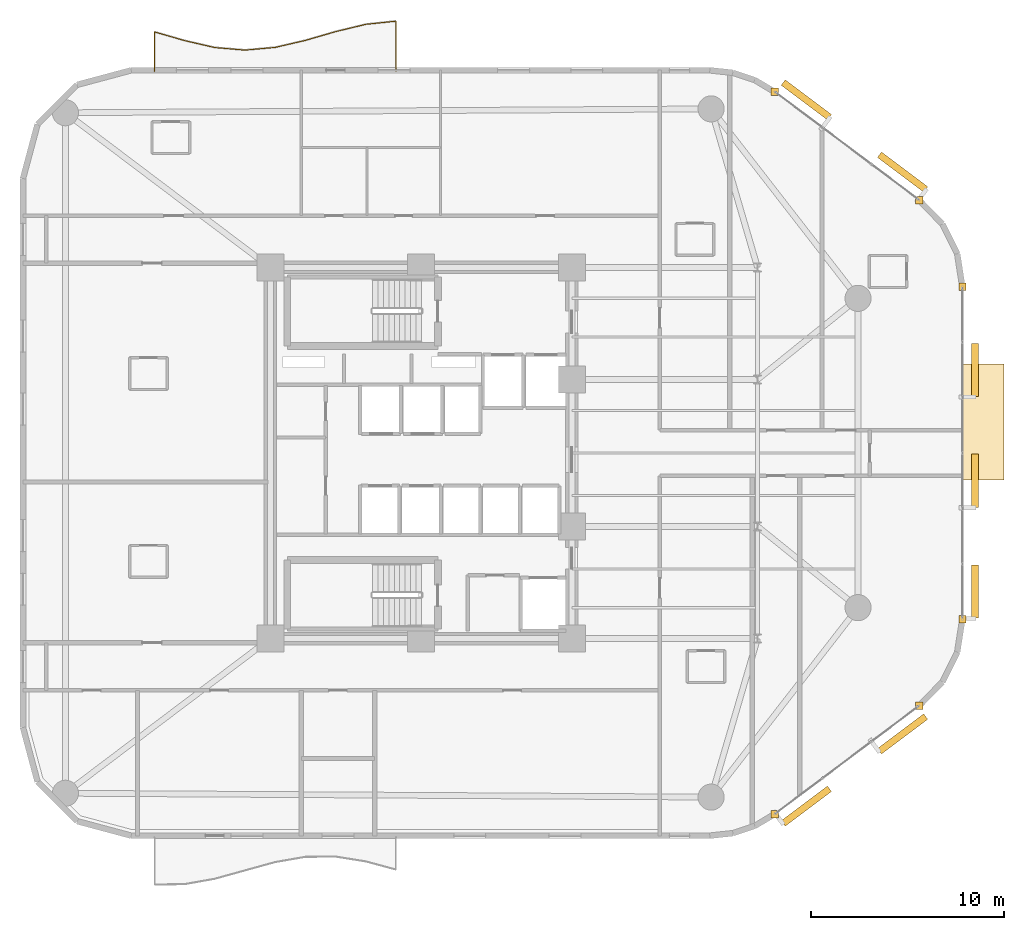
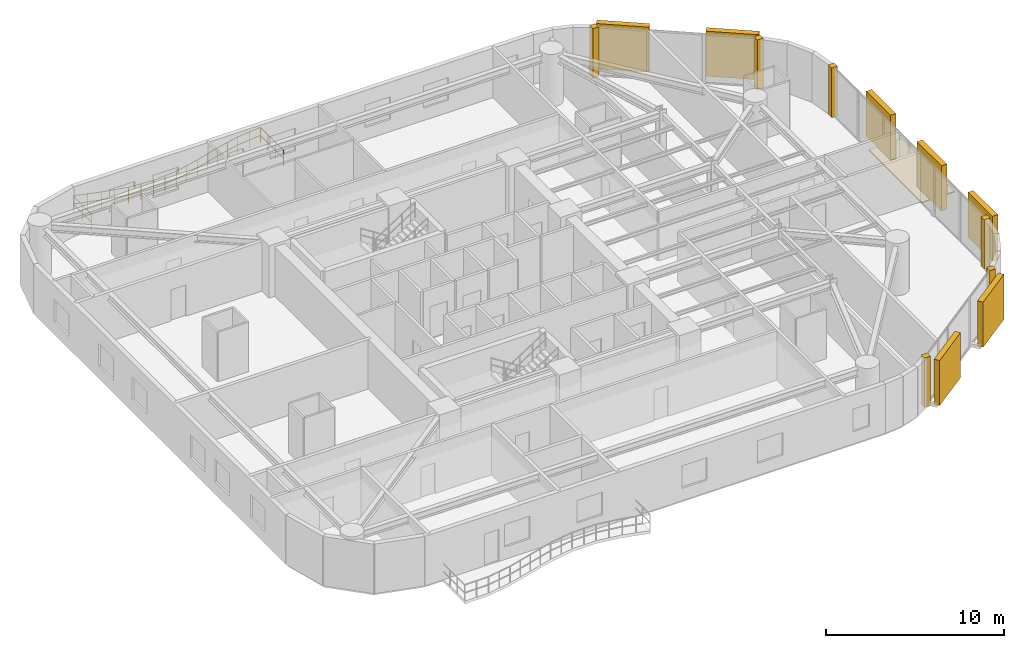
# One storey, part 16 of 16: 7 coverings, 7 shading devices, 1 railing.
"""IFC4 building model written with IfcOpenShell, lengths in metres."""

from ifc_helpers import new_model, si_unit, direction, frame, origin, origin_2d, place, context, subcontext, project, spatial, polyline, rectangle, circle, outline, extrude, material, layer, layer_set, type_object, element, save


model = new_model("IFC4")

# Units and contexts
model_context = context("Model", 3, precision=1e-05, world=origin(), true_north=direction((0.0, 1.0)))
body_context = subcontext(model_context, "Body", "Model", "MODEL_VIEW")
ifc_project = project(units=[si_unit("LENGTHUNIT", "METRE"), si_unit("AREAUNIT", "SQUARE_METRE"), si_unit("VOLUMEUNIT", "CUBIC_METRE"), si_unit("PLANEANGLEUNIT", "RADIAN"), si_unit("MASSUNIT", "GRAM", prefix="KILO")], contexts=[model_context])

# Site, building, storey
site_placement = place(None, origin())
site = spatial("IfcSite", under=ifc_project, at=site_placement, CompositionType="ELEMENT")
building_placement = place(site_placement, origin())
building = spatial("IfcBuilding", under=site, at=building_placement, Name="An Khanh Terracotta Commons", CompositionType="ELEMENT")
storey_placement = place(building_placement, frame((0.0, 0.0, 97.10009765625)))
storey = spatial("IfcBuildingStorey", under=building, at=storey_placement, Name="L25", CompositionType="ELEMENT", Elevation=97.10009765625)

# Coverings
ifc_material_1 = material(Name="Fired Terracotta Rainscreen Cladding", Category="masonry")
ifc_layer_1 = layer(ifc_material_1, 0.080078125, Name="Fired Terracotta Rainscreen Cladding")
ifc_layer_set_1 = layer_set([ifc_layer_1], Name="Fired Terracotta Rainscreen Cladding")
covering_type_1 = type_object("IfcCoveringType", Name="COV-JAMB-TERRA", PredefinedType="CLADDING", material=ifc_layer_set_1)
for number, where, z_axis, x_axis, name in (
    (1, (47.693115234375, 5.320068359375, 0.0), (0.0, 0.0, 1.0), (1.0, 0.0, 0.0), "L25 CW-02 Curtain-Wall Jamb Closure JA"),
    (2, (55.159912109375, 10.919921875, 0.0), (0.0, 0.0, 1.0), (1.0, 0.0, 0.0), "L25 CW-02 Curtain-Wall Jamb Closure JB"),
    (3, (57.39990234375, 15.39990234375, 0.0), (0.0, 0.0, 1.0), (1.0, 0.0, 0.0), "L25 CW-02 Curtain-Wall Jamb Closure JA"),
    (4, (57.39990234375, 32.60009765625, 0.0), (0.0, 0.0, 1.0), (1.0, 0.0, 0.0), "L25 CW-02 Curtain-Wall Jamb Closure JB"),
    (5, (55.159912109375, 37.080078125, 0.0), (0.0, 0.0, 1.0), (1.0, 0.0, 0.0), "L25 CW-02 Curtain-Wall Jamb Closure JA"),
    (6, (47.693115234375, 42.679931640625, 0.0), (0.0, 0.0, 1.0), (1.0, 0.0, 0.0), "L25 CW-02 Curtain-Wall Jamb Closure JB"),
):
    element("IfcCovering", number, at=place(storey_placement, frame(where, z_axis=z_axis, x_axis=x_axis)), inside=storey, type_object=covering_type_1, Name=name, PredefinedType="CLADDING", context=body_context, shape_type="SweptSolid", body=[
        extrude(rectangle(XDim=0.3798828125, YDim=0.3798828125, at=origin_2d()), origin(), (0.0, 0.0, 1.0), 3.39990234375),
    ])
ifc_material_2 = material(Name="Planted Garden Waterproofing Membrane")
ifc_layer_2 = layer(ifc_material_2, 0.080078125, Name="Planted Garden Waterproofing Membrane")
ifc_layer_set_2 = layer_set([ifc_layer_2], Name="Planted Garden Waterproofing Membrane")
covering_type_2 = type_object("IfcCoveringType", Name="COV-ROOFING-GREEN", PredefinedType="ROOFING", material=ifc_layer_set_2)
covering_placement = place(storey_placement, origin())
element("IfcCovering", 7, at=covering_placement, inside=storey, type_object=covering_type_2, Name="L25 Shifted Box Roof Waterproofing (L24)", PredefinedType="ROOFING", context=body_context, shape_type="SweptSolid", body=[
    extrude(outline(polyline([(57.39990234375, 22.60009765625), (59.550048828125, 22.60009765625), (59.550048828125, 28.60009765625), (57.39990234375, 28.60009765625), (57.39990234375, 22.60009765625)])), origin(), (0.0, 0.0, 1.0), 0.059814453125),
])

# Railing
ifc_material_3 = material(Name="Brushed Stainless Steel 316", Category="steel")
railing_type = type_object("IfcRailingType", Name="RAIL-BALUSTRADE-1100", PredefinedType="BALUSTRADE", material=ifc_material_3)
railing_placement = place(storey_placement, frame((28.10009765625, 43.739990234375, 0.0)))
element("IfcRailing", 8, at=railing_placement, inside=storey, type_object=railing_type, Name="L25 N Wave Balcony Guard Balustrade", PredefinedType="BALUSTRADE", context=body_context, shape_type="SweptSolid", body=[
    extrude(circle(Radius=0.02392578125, at=origin_2d()), frame((0.0, 0.0, 1.076171875), z_axis=(0.0, 1.0, 0.0), x_axis=(-1.0, 0.0, 0.0)), (0.0, 0.0, 1.0), 2.597900390625),
    extrude(circle(Radius=0.02392578125, at=origin_2d()), frame((0.0, 0.0, 0.52587890625), z_axis=(0.0, 1.0, 0.0), x_axis=(-1.0, 0.0, 0.0)), (0.0, 0.0, 1.0), 2.597900390625),
    extrude(circle(Radius=0.02392578125, at=origin_2d()), frame((0.0, 2.597900390625, 1.076171875), z_axis=(-0.994545412949, -0.104304465784, 0.0), x_axis=(0.104304465784, -0.994545412949, 0.0)), (0.0, 0.0, 1.0), 1.570556640625),
    extrude(circle(Radius=0.02392578125, at=origin_2d()), frame((0.0, 2.597900390625, 0.52587890625), z_axis=(-0.994545412949, -0.104304465784, 0.0), x_axis=(0.104304465784, -0.994545412949, 0.0)), (0.0, 0.0, 1.0), 1.570556640625),
    extrude(circle(Radius=0.02392578125, at=origin_2d()), frame((-1.56201171875, 2.43408203125, 1.076171875), z_axis=(-0.971954296491, -0.235169822753, 0.0), x_axis=(0.235169822753, -0.971954296491, 0.0)), (0.0, 0.0, 1.0), 1.608154296875),
    extrude(circle(Radius=0.02392578125, at=origin_2d()), frame((-1.56201171875, 2.43408203125, 0.52587890625), z_axis=(-0.971954296491, -0.235169822753, 0.0), x_axis=(0.235169822753, -0.971954296491, 0.0)), (0.0, 0.0, 1.0), 1.608154296875),
    extrude(circle(Radius=0.02392578125, at=origin_2d()), frame((-3.125, 2.055908203125, 1.076171875), z_axis=(-0.960446002807, -0.278466291842, 0.0), x_axis=(0.278466291842, -0.960446002807, 0.0)), (0.0, 0.0, 1.0), 1.626220703125),
    extrude(circle(Radius=0.02392578125, at=origin_2d()), frame((-3.125, 2.055908203125, 0.52587890625), z_axis=(-0.960446002807, -0.278466291842, 0.0), x_axis=(0.278466291842, -0.960446002807, 0.0)), (0.0, 0.0, 1.0), 1.626220703125),
    extrude(circle(Radius=0.02392578125, at=origin_2d()), frame((-4.68701171875, 1.60302734375, 1.076171875), z_axis=(-0.97406966316, -0.226248295708, 0.0), x_axis=(0.226248295708, -0.97406966316, 0.0)), (0.0, 0.0, 1.0), 1.6044921875),
    extrude(circle(Radius=0.02392578125, at=origin_2d()), frame((-4.68701171875, 1.60302734375, 0.52587890625), z_axis=(-0.97406966316, -0.226248295708, 0.0), x_axis=(0.226248295708, -0.97406966316, 0.0)), (0.0, 0.0, 1.0), 1.6044921875),
    extrude(circle(Radius=0.02392578125, at=origin_2d()), frame((-6.25, 1.239990234375, 1.076171875), z_axis=(-0.996013536684, -0.089202212648, 0.0), x_axis=(0.089202212648, -0.996013536684, 0.0)), (0.0, 0.0, 1.0), 1.568359375),
    extrude(circle(Radius=0.02392578125, at=origin_2d()), frame((-6.25, 1.239990234375, 0.52587890625), z_axis=(-0.996013536684, -0.089202212648, 0.0), x_axis=(0.089202212648, -0.996013536684, 0.0)), (0.0, 0.0, 1.0), 1.568359375),
    extrude(circle(Radius=0.02392578125, at=origin_2d()), frame((-7.81201171875, 1.10009765625, 1.076171875), z_axis=(-0.996409190639, 0.084668322354, 0.0), x_axis=(-0.084668322354, -0.996409190639, 0.0)), (0.0, 0.0, 1.0), 1.568603515625),
    extrude(circle(Radius=0.02392578125, at=origin_2d()), frame((-7.81201171875, 1.10009765625, 0.52587890625), z_axis=(-0.996409190639, 0.084668322354, 0.0), x_axis=(-0.084668322354, -0.996409190639, 0.0)), (0.0, 0.0, 1.0), 1.568603515625),
    extrude(circle(Radius=0.02392578125, at=origin_2d()), frame((-9.375, 1.23291015625, 1.076171875), z_axis=(-0.974573151688, 0.224069569574, 0.0), x_axis=(-0.224069569574, -0.974573151688, 0.0)), (0.0, 0.0, 1.0), 1.602783203125),
    extrude(circle(Radius=0.02392578125, at=origin_2d()), frame((-9.375, 1.23291015625, 0.52587890625), z_axis=(-0.974573151688, 0.224069569574, 0.0), x_axis=(-0.224069569574, -0.974573151688, 0.0)), (0.0, 0.0, 1.0), 1.602783203125),
    extrude(circle(Radius=0.02392578125, at=origin_2d()), frame((-10.93701171875, 1.592041015625, 1.076171875), z_axis=(-0.960652810495, 0.277752007533, 0.0), x_axis=(-0.277752007533, -0.960652810495, 0.0)), (0.0, 0.0, 1.0), 1.626953125),
    extrude(circle(Radius=0.02392578125, at=origin_2d()), frame((-10.93701171875, 1.592041015625, 0.52587890625), z_axis=(-0.960652810495, 0.277752007533, 0.0), x_axis=(-0.277752007533, -0.960652810495, 0.0)), (0.0, 0.0, 1.0), 1.626953125),
    extrude(circle(Radius=0.02392578125, at=origin_2d()), frame((-12.5, 2.0439453125, 1.076171875), z_axis=(0.0, -1.0, 0.0), x_axis=(1.0, 0.0, 0.0)), (0.0, 0.0, 1.0), 2.0439453125),
    extrude(circle(Radius=0.02392578125, at=origin_2d()), frame((-12.5, 2.0439453125, 0.52587890625), z_axis=(0.0, -1.0, 0.0), x_axis=(1.0, 0.0, 0.0)), (0.0, 0.0, 1.0), 2.0439453125),
    extrude(circle(Radius=0.02099609375, at=origin_2d()), origin(), (0.0, 0.0, 1.0), 1.052001953125),
    extrude(circle(Radius=0.02099609375, at=origin_2d()), frame((0.0, 0.865966796875, 0.0)), (0.0, 0.0, 1.0), 1.052001953125),
    extrude(circle(Radius=0.02099609375, at=origin_2d()), frame((0.0, 1.73193359375, 0.0)), (0.0, 0.0, 1.0), 1.052001953125),
    extrude(circle(Radius=0.02099609375, at=origin_2d()), frame((0.0, 2.597900390625, 0.0)), (0.0, 0.0, 1.0), 1.052001953125),
    extrude(circle(Radius=0.02099609375, at=origin_2d()), frame((-0.781005859375, 2.51611328125, 0.0)), (0.0, 0.0, 1.0), 1.052001953125),
    extrude(circle(Radius=0.02099609375, at=origin_2d()), frame((-1.56201171875, 2.43408203125, 0.0)), (0.0, 0.0, 1.0), 1.052001953125),
    extrude(circle(Radius=0.02099609375, at=origin_2d()), frame((-2.343505859375, 2.2451171875, 0.0)), (0.0, 0.0, 1.0), 1.052001953125),
    extrude(circle(Radius=0.02099609375, at=origin_2d()), frame((-3.125, 2.055908203125, 0.0)), (0.0, 0.0, 1.0), 1.052001953125),
    extrude(circle(Radius=0.02099609375, at=origin_2d()), frame((-3.906005859375, 1.82958984375, 0.0)), (0.0, 0.0, 1.0), 1.052001953125),
    extrude(circle(Radius=0.02099609375, at=origin_2d()), frame((-4.68701171875, 1.60302734375, 0.0)), (0.0, 0.0, 1.0), 1.052001953125),
    extrude(circle(Radius=0.02099609375, at=origin_2d()), frame((-5.468505859375, 1.42138671875, 0.0)), (0.0, 0.0, 1.0), 1.052001953125),
    extrude(circle(Radius=0.02099609375, at=origin_2d()), frame((-6.25, 1.239990234375, 0.0)), (0.0, 0.0, 1.0), 1.052001953125),
    extrude(circle(Radius=0.02099609375, at=origin_2d()), frame((-7.031005859375, 1.169921875, 0.0)), (0.0, 0.0, 1.0), 1.052001953125),
    extrude(circle(Radius=0.02099609375, at=origin_2d()), frame((-7.81201171875, 1.10009765625, 0.0)), (0.0, 0.0, 1.0), 1.052001953125),
    extrude(circle(Radius=0.02099609375, at=origin_2d()), frame((-8.593505859375, 1.16650390625, 0.0)), (0.0, 0.0, 1.0), 1.052001953125),
    extrude(circle(Radius=0.02099609375, at=origin_2d()), frame((-9.375, 1.23291015625, 0.0)), (0.0, 0.0, 1.0), 1.052001953125),
    extrude(circle(Radius=0.02099609375, at=origin_2d()), frame((-10.156005859375, 1.41259765625, 0.0)), (0.0, 0.0, 1.0), 1.052001953125),
    extrude(circle(Radius=0.02099609375, at=origin_2d()), frame((-10.93701171875, 1.592041015625, 0.0)), (0.0, 0.0, 1.0), 1.052001953125),
    extrude(circle(Radius=0.02099609375, at=origin_2d()), frame((-11.718505859375, 1.81787109375, 0.0)), (0.0, 0.0, 1.0), 1.052001953125),
    extrude(circle(Radius=0.02099609375, at=origin_2d()), frame((-12.5, 2.0439453125, 0.0)), (0.0, 0.0, 1.0), 1.052001953125),
    extrude(circle(Radius=0.02099609375, at=origin_2d()), frame((-12.5, 1.02197265625, 0.0)), (0.0, 0.0, 1.0), 1.052001953125),
    extrude(circle(Radius=0.02099609375, at=origin_2d()), frame((-12.5, 0.0, 0.0)), (0.0, 0.0, 1.0), 1.052001953125),
])

# Shading devices
ifc_material_4 = material(Name="Extruded Fired Terracotta", Category="masonry")
shading_device_type = type_object("IfcShadingDeviceType", Name="Terracotta Baguette Screen Assembly", PredefinedType="USERDEFINED", material=ifc_material_4)
for number, where, z_axis, x_axis, name in (
    (9, (49.326904296875, 5.73291015625, 0.14990234375), (0.0, 0.0, 1.0), (0.800012856594, 0.599982857492, 0.0), "L25 Terracotta Baguette Screen 1"),
    (10, (54.304931640625, 9.467041015625, 0.14990234375), (0.0, 0.0, 1.0), (0.800012856594, 0.599982857492, 0.0), "L25 Terracotta Baguette Screen 3"),
):
    element("IfcShadingDevice", number, at=place(storey_placement, frame(where, z_axis=z_axis, x_axis=x_axis)), inside=storey, type_object=shading_device_type, Name=name, ObjectType="BAGUETTE", PredefinedType="USERDEFINED", context=body_context, shape_type="SweptSolid", body=[
        extrude(rectangle(XDim=2.990966796875, YDim=0.35009765625, at=origin_2d()), origin(), (0.0, 0.0, 1.0), 3.10009765625),
    ])
for number, where, z_axis, x_axis, name in (
    (11, (58.050048828125, 16.8330078125, 0.14990234375), (0.0, 0.0, 1.0), (0.0, 1.0, 0.0), "L25 Terracotta Baguette Screen 1"),
    (12, (58.050048828125, 22.56689453125, 0.14990234375), (0.0, 0.0, 1.0), (0.0, 1.0, 0.0), "L25 Terracotta Baguette Screen 3"),
    (13, (58.050048828125, 28.300048828125, 0.14990234375), (0.0, 0.0, 1.0), (0.0, 1.0, 0.0), "L25 Terracotta Baguette Screen 5"),
):
    element("IfcShadingDevice", number, at=place(storey_placement, frame(where, z_axis=z_axis, x_axis=x_axis)), inside=storey, type_object=shading_device_type, Name=name, ObjectType="BAGUETTE", PredefinedType="USERDEFINED", context=body_context, shape_type="SweptSolid", body=[
        extrude(rectangle(XDim=2.7470703125, YDim=0.35009765625, at=origin_2d()), origin(), (0.0, 0.0, 1.0), 3.10009765625),
    ])
for number, where, z_axis, x_axis, name in (
    (14, (54.304931640625, 38.532958984375, 0.14990234375), (0.0, 0.0, 1.0), (-0.800012856594, 0.599982857492, 0.0), "L25 Terracotta Baguette Screen 1"),
    (15, (49.326904296875, 42.26708984375, 0.14990234375), (0.0, 0.0, 1.0), (-0.800012856594, 0.599982857492, 0.0), "L25 Terracotta Baguette Screen 3"),
):
    element("IfcShadingDevice", number, at=place(storey_placement, frame(where, z_axis=z_axis, x_axis=x_axis)), inside=storey, type_object=shading_device_type, Name=name, ObjectType="BAGUETTE", PredefinedType="USERDEFINED", context=body_context, shape_type="SweptSolid", body=[
        extrude(rectangle(XDim=2.990966796875, YDim=0.35009765625, at=origin_2d()), origin(), (0.0, 0.0, 1.0), 3.10009765625),
    ])

save(model, "model.ifc")
